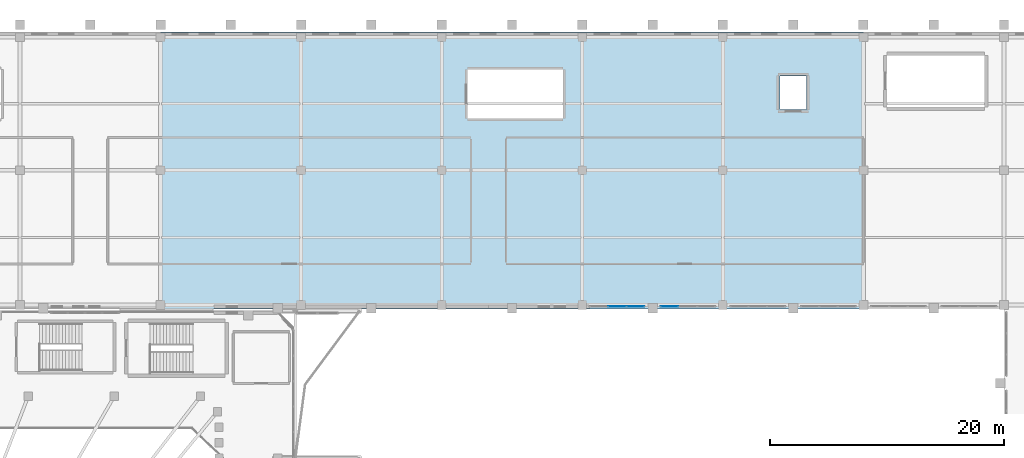
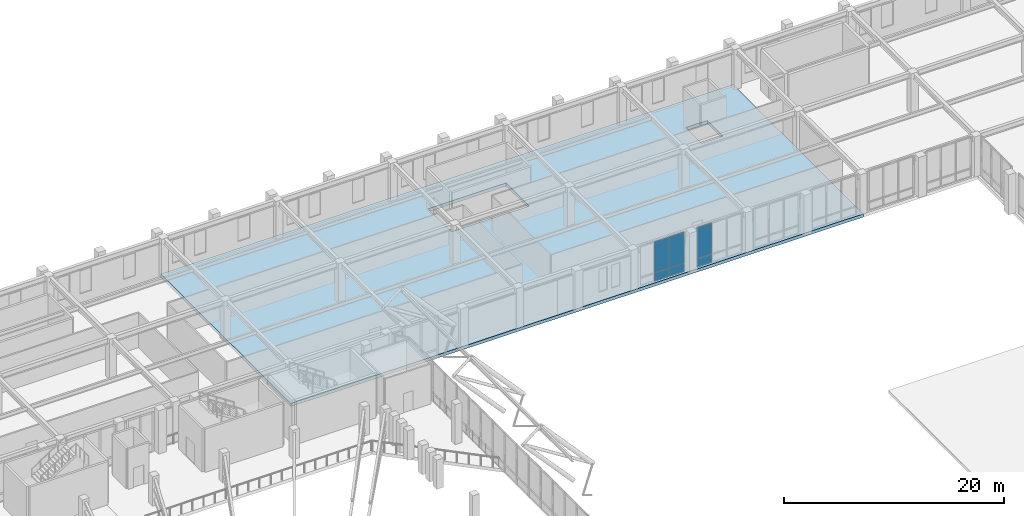
# One storey, part 49 of 79: 6 plates, 1 slab, 2 elements without a shape of their own.
"""IFC4 building model written with IfcOpenShell, lengths in metres."""

from ifc_helpers import new_model, si_unit, derived_unit, direction, frame, origin, origin_2d, place, context, subcontext, project, spatial, polyline, rectangle, outline, extrude, material, layer, layer_set, type_object, element, aggregate, save


model = new_model("IFC4")

# Units and contexts
model_context = context("Model", 3, precision=1e-05, world=origin(), true_north=direction((0.0, 1.0)))
body_context = subcontext(model_context, "Body", "Model", "MODEL_VIEW")
ifc_project = project(units=[si_unit("LENGTHUNIT", "METRE"), si_unit("AREAUNIT", "SQUARE_METRE"), si_unit("VOLUMEUNIT", "CUBIC_METRE"), si_unit("PLANEANGLEUNIT", "RADIAN"), si_unit("MASSUNIT", "GRAM", prefix="KILO"), derived_unit("THERMALTRANSMITTANCEUNIT", [(si_unit("MASSUNIT", "GRAM", prefix="KILO"), 1), (si_unit("TIMEUNIT", "SECOND"), -3), (si_unit("THERMODYNAMICTEMPERATUREUNIT", "KELVIN"), -1)])], contexts=[model_context])

# Site, building, storey
site_placement = place(None, origin())
site = spatial("IfcSite", under=ifc_project, at=site_placement, CompositionType="ELEMENT")
building_placement = place(site_placement, origin())
building = spatial("IfcBuilding", under=site, at=building_placement, Name="Valcora Ridge Arena", CompositionType="ELEMENT")
storey_placement = place(building_placement, frame((0.0, 0.0, 16.199951171875)))
storey = spatial("IfcBuildingStorey", under=building, at=storey_placement, Name="L03", CompositionType="ELEMENT", Elevation=16.199951171875)

# Curtain wall, plate
ifc_material_1 = material(Name="Anodised dark bronze architectural aluminium 6063-T6", Category="aluminium")
ifc_layer_1 = layer(ifc_material_1, 0.14990234375, Name="Anodised dark bronze architectural aluminium 6063-T6")
ifc_layer_set_1 = layer_set([ifc_layer_1], Name="Anodised dark bronze architectural aluminium 6063-T6")
curtain_wall_type = type_object("IfcCurtainWallType", Name="TY-CURTAINWALL-CW-V5-MED-047X45", PredefinedType="NOTDEFINED", material=ifc_layer_set_1)
curtain_wall_1_placement = place(storey_placement, origin())
curtain_wall_1 = element("IfcCurtainWall", 1, at=curtain_wall_1_placement, inside=storey, type_object=curtain_wall_type, Name="CW-V5-MED-047X45 CW-0336", PredefinedType="NOTDEFINED")
ifc_material_2 = material(Name="Low-iron solar-control double glazing SHGC 0.28", Category="glass")
ifc_layer_2 = layer(ifc_material_2, 0.028076171875, Name="Low-iron solar-control double glazing SHGC 0.28")
ifc_layer_set_2 = layer_set([ifc_layer_2], Name="Low-iron solar-control double glazing SHGC 0.28")
plate_type_1 = type_object("IfcPlateType", Name="TY-PLT-CWP-1507X0875", PredefinedType="CURTAIN_PANEL", material=ifc_layer_set_2)
plate_1_placement = place(storey_placement, frame((124.556396484375, 108.550048828125, 0.050048828125), z_axis=(0.0, 0.0, 1.0), x_axis=(1.0, 0.0, 0.0)))
plate_1 = element("IfcPlate", 2, at=plate_1_placement, type_object=plate_type_1, Name="CW-0336/P02-00", PredefinedType="CURTAIN_PANEL", context=body_context, shape_type="SweptSolid", body=[
    extrude(rectangle(XDim=1.507080078125, YDim=0.028076171875, at=origin_2d()), origin(), (0.0, 0.0, 1.0), 0.875),
])

curtain_wall_2_placement = place(storey_placement, origin())
curtain_wall_2 = element("IfcCurtainWall", 3, at=curtain_wall_2_placement, inside=storey, type_object=curtain_wall_type, Name="CW-V5-MED-047X45 CW-0337", PredefinedType="NOTDEFINED")
plate_2_placement = place(storey_placement, frame((127.443603515625, 108.550048828125, 0.050048828125), z_axis=(0.0, 0.0, 1.0), x_axis=(1.0, 0.0, 0.0)))
plate_2 = element("IfcPlate", 4, at=plate_2_placement, type_object=plate_type_1, Name="CW-0337/P00-00", PredefinedType="CURTAIN_PANEL", context=body_context, shape_type="SweptSolid", body=[
    extrude(rectangle(XDim=1.507080078125, YDim=0.028076171875, at=origin_2d()), origin(), (0.0, 0.0, 1.0), 0.875),
])

# Plate
ifc_layer_3 = layer(ifc_material_2, 0.028076171875, Name="Low-iron solar-control double glazing SHGC 0.28")
ifc_layer_set_3 = layer_set([ifc_layer_3], Name="Low-iron solar-control double glazing SHGC 0.28")
plate_type_2 = type_object("IfcPlateType", Name="TY-PLT-CWP-1507X3435", PredefinedType="CURTAIN_PANEL", material=ifc_layer_set_3)
plate_3_placement = place(storey_placement, frame((124.556396484375, 108.550048828125, 0.97509765625), z_axis=(0.0, 0.0, 1.0), x_axis=(1.0, 0.0, 0.0)))
plate_3 = element("IfcPlate", 5, at=plate_3_placement, type_object=plate_type_2, Name="CW-0336/P02-01", PredefinedType="CURTAIN_PANEL", context=body_context, shape_type="SweptSolid", body=[
    extrude(rectangle(XDim=1.507080078125, YDim=0.028076171875, at=origin_2d()), origin(), (0.0, 0.0, 1.0), 3.43505859375),
])

plate_4_placement = place(storey_placement, frame((127.443603515625, 108.550048828125, 0.97509765625), z_axis=(0.0, 0.0, 1.0), x_axis=(1.0, 0.0, 0.0)))
plate_4 = element("IfcPlate", 6, at=plate_4_placement, type_object=plate_type_2, Name="CW-0337/P00-01", PredefinedType="CURTAIN_PANEL", context=body_context, shape_type="SweptSolid", body=[
    extrude(rectangle(XDim=1.507080078125, YDim=0.028076171875, at=origin_2d()), origin(), (0.0, 0.0, 1.0), 3.43505859375),
])

aggregate(curtain_wall_2, [plate_2, plate_4])

ifc_layer_4 = layer(ifc_material_2, 0.028076171875, Name="Low-iron solar-control double glazing SHGC 0.28")
ifc_layer_set_4 = layer_set([ifc_layer_4], Name="Low-iron solar-control double glazing SHGC 0.28")
plate_type_3 = type_object("IfcPlateType", Name="TY-PLT-CWP-1531X0875", PredefinedType="CURTAIN_PANEL", material=ifc_layer_set_4)
plate_5_placement = place(storey_placement, frame((122.987548828125, 108.550048828125, 0.050048828125), z_axis=(0.0, 0.0, 1.0), x_axis=(1.0, 0.0, 0.0)))
plate_5 = element("IfcPlate", 7, at=plate_5_placement, type_object=plate_type_3, Name="CW-0336/P01-00", PredefinedType="CURTAIN_PANEL", context=body_context, shape_type="SweptSolid", body=[
    extrude(rectangle(XDim=1.531005859375, YDim=0.028076171875, at=origin_2d()), origin(), (0.0, 0.0, 1.0), 0.875),
])

ifc_layer_5 = layer(ifc_material_2, 0.028076171875, Name="Low-iron solar-control double glazing SHGC 0.28")
ifc_layer_set_5 = layer_set([ifc_layer_5], Name="Low-iron solar-control double glazing SHGC 0.28")
plate_type_4 = type_object("IfcPlateType", Name="TY-PLT-CWP-1531X3435", PredefinedType="CURTAIN_PANEL", material=ifc_layer_set_5)
plate_6_placement = place(storey_placement, frame((122.987548828125, 108.550048828125, 0.97509765625), z_axis=(0.0, 0.0, 1.0), x_axis=(1.0, 0.0, 0.0)))
plate_6 = element("IfcPlate", 8, at=plate_6_placement, type_object=plate_type_4, Name="CW-0336/P01-01", PredefinedType="CURTAIN_PANEL", context=body_context, shape_type="SweptSolid", body=[
    extrude(rectangle(XDim=1.531005859375, YDim=0.028076171875, at=origin_2d()), origin(), (0.0, 0.0, 1.0), 3.43505859375),
])

aggregate(curtain_wall_1, [plate_5, plate_6, plate_1, plate_3])

# Slab
ifc_material_3 = material(Name="Concrete C40/50", Category="concrete")
ifc_layer_6 = layer(ifc_material_3, 0.35009765625, Name="Concrete C40/50")
ifc_layer_set_6 = layer_set([ifc_layer_6], Name="Concrete C40/50")
slab_type = type_object("IfcSlabType", Name="TY-SLAB-SL-V5-350-C", PredefinedType="FLOOR", material=ifc_layer_set_6)
slab_placement = place(storey_placement, frame((0.0, 0.0, -0.349853515625)))
element("IfcSlab", 9, at=slab_placement, inside=storey, type_object=slab_type, Name="SL-V5-350-C SLB-0077", PredefinedType="FLOOR", context=body_context, shape_type="SweptSolid", body=[
    extrude(outline(polyline([(84.0, 132.0), (84.0, 108.35009765625), (144.0, 108.35009765625), (144.0, 132.0), (84.0, 132.0)]), holes=[polyline([(118.360107421875, 128.800048828125), (110.199951171875, 128.800048828125), (110.199951171875, 124.60009765625), (118.360107421875, 124.60009765625), (118.360107421875, 128.800048828125)]), polyline([(139.1201171875, 128.219970703125), (136.8798828125, 128.219970703125), (136.8798828125, 125.3798828125), (139.1201171875, 125.3798828125), (139.1201171875, 128.219970703125)])]), origin(), (0.0, 0.0, 1.0), 0.349853515625),
])

save(model, "model.ifc")
